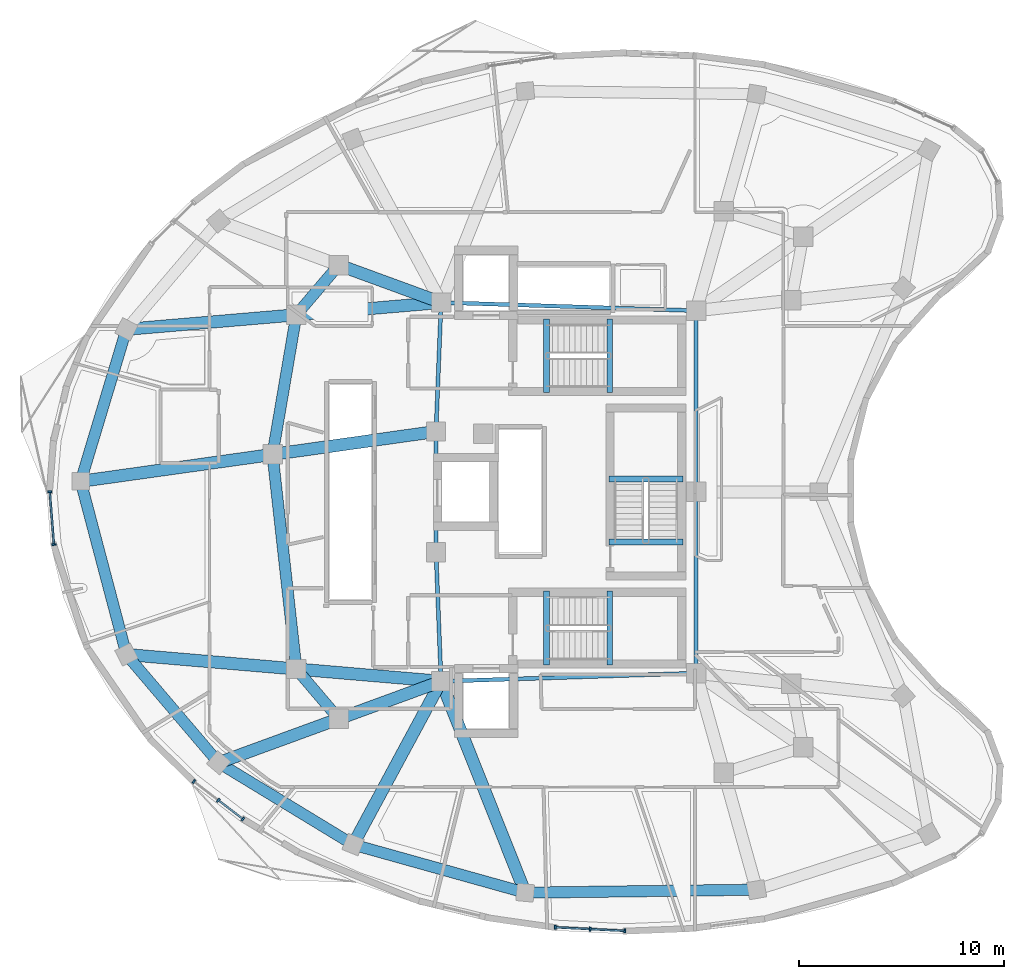
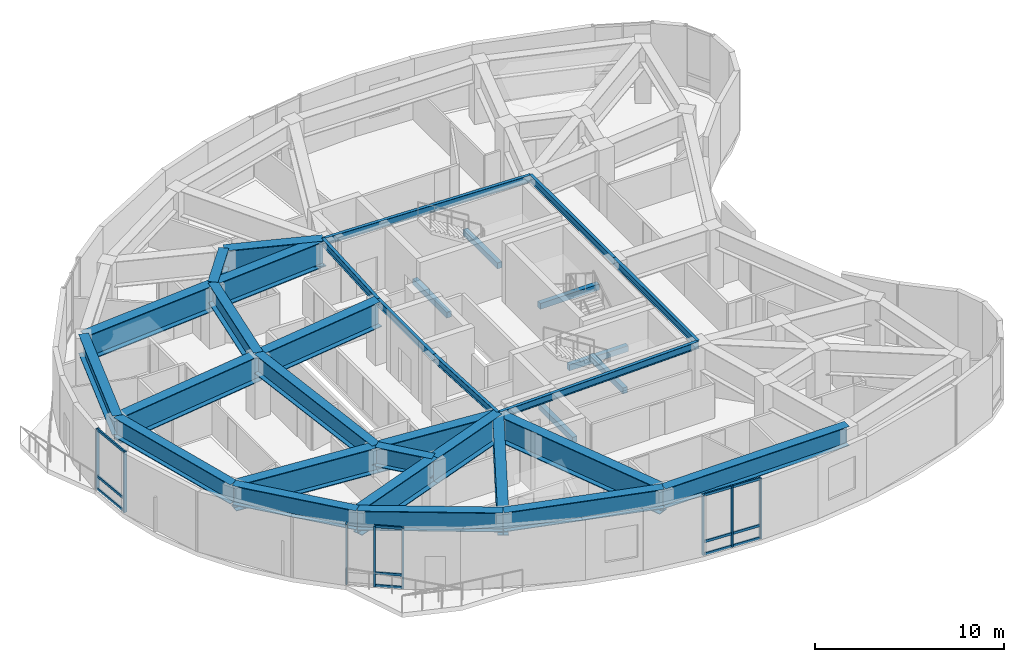
# One storey, part 2 of 13: 34 beams, 20 members, 3 elements without a shape of their own.
"""IFC4 building model written with IfcOpenShell, lengths in metres."""

from ifc_helpers import new_model, si_unit, direction, frame, origin, origin_2d, place, context, subcontext, project, spatial, rectangle, i_section, extrude, material, layer, layer_set, material_profile, profile_set, type_object, element, aggregate, save


model = new_model("IFC4")

# Units and contexts
model_context = context("Model", 3, precision=1e-05, world=origin(), true_north=direction((0.0, 1.0)))
body_context = subcontext(model_context, "Body", "Model", "MODEL_VIEW")
ifc_project = project(units=[si_unit("LENGTHUNIT", "METRE"), si_unit("AREAUNIT", "SQUARE_METRE"), si_unit("VOLUMEUNIT", "CUBIC_METRE"), si_unit("PLANEANGLEUNIT", "RADIAN"), si_unit("MASSUNIT", "GRAM", prefix="KILO")], contexts=[model_context])

# Site, building, storey
site_placement = place(None, origin())
site = spatial("IfcSite", under=ifc_project, at=site_placement, CompositionType="ELEMENT")
building_placement = place(site_placement, origin())
building = spatial("IfcBuilding", under=site, at=building_placement, Name="Korentha Bioscience Tower", CompositionType="ELEMENT")
storey_placement = place(building_placement, frame((0.0, 0.0, 256.199951171875)))
storey = spatial("IfcBuildingStorey", under=building, at=storey_placement, Name="L59", CompositionType="ELEMENT", Elevation=256.199951171875)

# Beams
ifc_material_1 = material(Name="Concrete C50", Category="concrete")
ifc_material_profile_1 = material_profile(ifc_material_1, rectangle(XDim=0.280029296875, YDim=0.3798828125, at=origin_2d()), Name="Concrete C50")
ifc_profile_set_1 = profile_set([ifc_material_profile_1], Name="Concrete C50 (ST-HB380)")
beam_type_1 = type_object("IfcBeamType", Name="Concrete Stair Header Beam RC 280x380", PredefinedType="BEAM", material=ifc_profile_set_1)
for number, where, z_axis, x_axis, name in (
    (1, (30.25, 31.85009765625, -0.18994140625), (0.0, 1.0, 0.0), (-1.0, 0.0, 0.0), "L59 ST-1 Concrete Stair Header Beam"),
    (2, (33.330078125, 31.85009765625, 1.91015625), (0.0, 1.0, 0.0), (-1.0, 0.0, 0.0), "L59 ST-1 Half-Landing Header Beam 1"),
    (3, (30.25, 18.550048828125, -0.18994140625), (0.0, 1.0, 0.0), (-1.0, 0.0, 0.0), "L59 ST-2 Concrete Stair Header Beam"),
    (4, (33.330078125, 18.550048828125, 1.91015625), (0.0, 1.0, 0.0), (-1.0, 0.0, 0.0), "L59 ST-2 Half-Landing Header Beam 1"),
    (5, (36.89990234375, 24.550048828125, -0.18994140625), (-1.0, 0.0, 0.0), (0.0, -1.0, 0.0), "L59 ST-3 Concrete Stair Header Beam"),
    (6, (36.89990234375, 27.6298828125, 1.91015625), (-1.0, 0.0, 0.0), (0.0, -1.0, 0.0), "L59 ST-3 Half-Landing Header Beam 1"),
):
    element("IfcBeam", number, at=place(storey_placement, frame(where, z_axis=z_axis, x_axis=x_axis)), inside=storey, type_object=beam_type_1, Name=name, PredefinedType="BEAM", context=body_context, shape_type="SweptSolid", body=[
        extrude(rectangle(XDim=0.280029296875, YDim=0.3798828125, at=origin_2d()), origin(), (0.0, 0.0, 1.0), 3.599853515625),
    ])
ifc_material_2 = material(Name="Steel S355", Category="steel")
ifc_material_profile_2 = material_profile(ifc_material_2, i_section(OverallWidth=0.550048828125, OverallDepth=1.25, WebThickness=0.02392578125, FlangeThickness=0.0400390625, at=origin_2d()), Name="Steel S355")
ifc_profile_set_2 = profile_set([ifc_material_profile_2], Name="Steel S355 (TG-03)")
beam_type_2 = type_object("IfcBeamType", Name="Crown Step Transfer Girder CVS 1250x510", PredefinedType="USERDEFINED", material=ifc_profile_set_2)
beam_1_placement = place(storey_placement, frame((20.102294921875, 38.07861328125, 3.275146484375), z_axis=(-0.648477940418, -0.761233446974, 0.0), x_axis=(0.761233446974, -0.648477940418, 0.0)))
element("IfcBeam", 7, at=beam_1_placement, inside=storey, type_object=beam_type_2, Name="L59 Mid-Ring Tie Girder 05", ObjectType="TRANSFER_GIRDER", PredefinedType="USERDEFINED", context=body_context, shape_type="SweptSolid", body=[
    extrude(i_section(OverallWidth=0.550048828125, OverallDepth=1.25, WebThickness=0.02392578125, FlangeThickness=0.0400390625, at=origin_2d()), origin(), (0.0, 0.0, 1.0), 3.193603515625),
])
beam_2_placement = place(storey_placement, frame((18.03125, 35.6474609375, 3.275146484375), z_axis=(-0.168147535946, -0.985761840484, 0.0), x_axis=(0.985761840484, -0.168147535946, 0.0)))
element("IfcBeam", 8, at=beam_2_placement, inside=storey, type_object=beam_type_2, Name="L59 Mid-Ring Tie Girder 06", ObjectType="TRANSFER_GIRDER", PredefinedType="USERDEFINED", context=body_context, shape_type="SweptSolid", body=[
    extrude(i_section(OverallWidth=0.550048828125, OverallDepth=1.25, WebThickness=0.02392578125, FlangeThickness=0.0400390625, at=origin_2d()), origin(), (0.0, 0.0, 1.0), 6.91552734375),
])
beam_3_placement = place(storey_placement, frame((16.868408203125, 28.830322265625, 3.275146484375), z_axis=(0.110304435267, -0.993897847649, 0.0), x_axis=(0.993897847649, 0.110304435267, 0.0)))
element("IfcBeam", 9, at=beam_3_placement, inside=storey, type_object=beam_type_2, Name="L59 Mid-Ring Tie Girder 07", ObjectType="TRANSFER_GIRDER", PredefinedType="USERDEFINED", context=body_context, shape_type="SweptSolid", body=[
    extrude(i_section(OverallWidth=0.550048828125, OverallDepth=1.25, WebThickness=0.02392578125, FlangeThickness=0.0400390625, at=origin_2d()), origin(), (0.0, 0.0, 1.0), 10.5419921875),
])
beam_4_placement = place(storey_placement, frame((18.03125, 18.3525390625, 3.275146484375), z_axis=(0.648477940418, -0.761233446974, 0.0), x_axis=(0.761233446974, 0.648477940418, 0.0)))
element("IfcBeam", 10, at=beam_4_placement, inside=storey, type_object=beam_type_2, Name="L59 Mid-Ring Tie Girder 08", ObjectType="TRANSFER_GIRDER", PredefinedType="USERDEFINED", context=body_context, shape_type="SweptSolid", body=[
    extrude(i_section(OverallWidth=0.550048828125, OverallDepth=1.25, WebThickness=0.02392578125, FlangeThickness=0.0400390625, at=origin_2d()), origin(), (0.0, 0.0, 1.0), 3.193603515625),
])
beam_5_placement = place(storey_placement, frame((9.7333984375, 34.93994140625, 3.275146484375), z_axis=(-0.288202931469, -0.957569355343, 0.0), x_axis=(0.957569355343, -0.288202931469, 0.0)))
element("IfcBeam", 11, at=beam_5_placement, inside=storey, type_object=beam_type_2, Name="L59 Perimeter Spandrel Girder 06", ObjectType="TRANSFER_GIRDER", PredefinedType="USERDEFINED", context=body_context, shape_type="SweptSolid", body=[
    extrude(i_section(OverallWidth=0.550048828125, OverallDepth=1.25, WebThickness=0.02392578125, FlangeThickness=0.0400390625, at=origin_2d()), origin(), (0.0, 0.0, 1.0), 7.752685546875),
])
beam_6_placement = place(storey_placement, frame((7.4990234375, 27.51611328125, 3.275146484375), z_axis=(0.255465954873, -0.966818052118, 0.0), x_axis=(0.966818052118, 0.255465954873, 0.0)))
element("IfcBeam", 12, at=beam_6_placement, inside=storey, type_object=beam_type_2, Name="L59 Perimeter Spandrel Girder 07", ObjectType="TRANSFER_GIRDER", PredefinedType="USERDEFINED", context=body_context, shape_type="SweptSolid", body=[
    extrude(i_section(OverallWidth=0.550048828125, OverallDepth=1.25, WebThickness=0.02392578125, FlangeThickness=0.0400390625, at=origin_2d()), origin(), (0.0, 0.0, 1.0), 8.746337890625),
])
beam_7_placement = place(storey_placement, frame((9.7333984375, 19.06005859375, 3.275146484375), z_axis=(0.648430983047, -0.76127344642, 0.0), x_axis=(0.76127344642, 0.648430983047, 0.0)))
element("IfcBeam", 13, at=beam_7_placement, inside=storey, type_object=beam_type_2, Name="L59 Perimeter Spandrel Girder 08", ObjectType="TRANSFER_GIRDER", PredefinedType="USERDEFINED", context=body_context, shape_type="SweptSolid", body=[
    extrude(i_section(OverallWidth=0.550048828125, OverallDepth=1.25, WebThickness=0.02392578125, FlangeThickness=0.0400390625, at=origin_2d()), origin(), (0.0, 0.0, 1.0), 6.94287109375),
])
beam_8_placement = place(storey_placement, frame((14.2353515625, 13.774658203125, 3.275146484375), z_axis=(0.854346933574, -0.519703104755, 0.0), x_axis=(0.519703104755, 0.854346933574, 0.0)))
element("IfcBeam", 14, at=beam_8_placement, inside=storey, type_object=beam_type_2, Name="L59 Perimeter Spandrel Girder 09", ObjectType="TRANSFER_GIRDER", PredefinedType="USERDEFINED", context=body_context, shape_type="SweptSolid", body=[
    extrude(i_section(OverallWidth=0.550048828125, OverallDepth=1.25, WebThickness=0.02392578125, FlangeThickness=0.0400390625, at=origin_2d()), origin(), (0.0, 0.0, 1.0), 7.687255859375),
])
beam_9_placement = place(storey_placement, frame((20.802978515625, 9.779541015625, 3.275146484375), z_axis=(0.963069388381, -0.269253325258, 0.0), x_axis=(0.269253325258, 0.963069388381, 0.0)))
element("IfcBeam", 15, at=beam_9_placement, inside=storey, type_object=beam_type_2, Name="L59 Perimeter Spandrel Girder 10", ObjectType="TRANSFER_GIRDER", PredefinedType="USERDEFINED", context=body_context, shape_type="SweptSolid", body=[
    extrude(i_section(OverallWidth=0.550048828125, OverallDepth=1.25, WebThickness=0.02392578125, FlangeThickness=0.0400390625, at=origin_2d()), origin(), (0.0, 0.0, 1.0), 8.72900390625),
])
beam_10_placement = place(storey_placement, frame((29.209716796875, 7.42919921875, 3.275146484375), z_axis=(0.999915413236, 0.013006397415, 0.0), x_axis=(-0.013006397415, 0.999915413236, 0.0)))
element("IfcBeam", 16, at=beam_10_placement, inside=storey, type_object=beam_type_2, Name="L59 Perimeter Spandrel Girder 11", ObjectType="TRANSFER_GIRDER", PredefinedType="USERDEFINED", context=body_context, shape_type="SweptSolid", body=[
    extrude(i_section(OverallWidth=0.550048828125, OverallDepth=1.25, WebThickness=0.02392578125, FlangeThickness=0.0400390625, at=origin_2d()), origin(), (0.0, 0.0, 1.0), 11.300048828125),
])
ifc_material_profile_3 = material_profile(ifc_material_2, i_section(OverallWidth=0.60009765625, OverallDepth=1.64990234375, WebThickness=0.02587890625, FlangeThickness=0.0439453125, at=origin_2d()), Name="Steel S355")
ifc_profile_set_3 = profile_set([ifc_material_profile_3], Name="Steel S355 (TG-04)")
beam_type_3 = type_object("IfcBeamType", Name="Deep Setback Transfer Girder CVS 1650x620", PredefinedType="USERDEFINED", material=ifc_profile_set_3)
beam_11_placement = place(storey_placement, frame((25.10009765625, 36.25, 3.074951171875), z_axis=(-0.939113825958, 0.34360620177, 0.0), x_axis=(-0.34360620177, -0.939113825958, 0.0)))
element("IfcBeam", 17, at=beam_11_placement, inside=storey, type_object=beam_type_3, Name="L59 Inner Radial Transfer Girder 05", ObjectType="TRANSFER_GIRDER", PredefinedType="USERDEFINED", context=body_context, shape_type="SweptSolid", body=[
    extrude(i_section(OverallWidth=0.60009765625, OverallDepth=1.64990234375, WebThickness=0.02587890625, FlangeThickness=0.0439453125, at=origin_2d()), origin(), (0.0, 0.0, 1.0), 5.32177734375),
])
beam_12_placement = place(storey_placement, frame((25.10009765625, 36.25, 3.074951171875), z_axis=(-0.996386862802, -0.084930675464, 0.0), x_axis=(0.084930675464, -0.996386862802, 0.0)))
element("IfcBeam", 18, at=beam_12_placement, inside=storey, type_object=beam_type_3, Name="L59 Inner Radial Transfer Girder 06", ObjectType="TRANSFER_GIRDER", PredefinedType="USERDEFINED", context=body_context, shape_type="SweptSolid", body=[
    extrude(i_section(OverallWidth=0.60009765625, OverallDepth=1.64990234375, WebThickness=0.02587890625, FlangeThickness=0.0439453125, at=origin_2d()), origin(), (0.0, 0.0, 1.0), 7.094482421875),
])
beam_13_placement = place(storey_placement, frame((18.03125, 35.6474609375, 3.074951171875), z_axis=(-0.996384608351, -0.084957120013, 0.0), x_axis=(0.084957120013, -0.996384608351, 0.0)))
element("IfcBeam", 19, at=beam_13_placement, inside=storey, type_object=beam_type_3, Name="L59 Outer Radial Transfer Girder 06", ObjectType="TRANSFER_GIRDER", PredefinedType="USERDEFINED", context=body_context, shape_type="SweptSolid", body=[
    extrude(i_section(OverallWidth=0.60009765625, OverallDepth=1.64990234375, WebThickness=0.02587890625, FlangeThickness=0.0439453125, at=origin_2d()), origin(), (0.0, 0.0, 1.0), 8.327880859375),
])
beam_14_placement = place(storey_placement, frame((24.85009765625, 29.949951171875, 3.074951171875), z_axis=(-0.990304360925, -0.138914623901, 0.0), x_axis=(0.138914623901, -0.990304360925, 0.0)))
element("IfcBeam", 20, at=beam_14_placement, inside=storey, type_object=beam_type_3, Name="L59 Inner Radial Transfer Girder 07", ObjectType="TRANSFER_GIRDER", PredefinedType="USERDEFINED", context=body_context, shape_type="SweptSolid", body=[
    extrude(i_section(OverallWidth=0.60009765625, OverallDepth=1.64990234375, WebThickness=0.02587890625, FlangeThickness=0.0439453125, at=origin_2d()), origin(), (0.0, 0.0, 1.0), 8.059814453125),
])
beam_15_placement = place(storey_placement, frame((16.868408203125, 28.830322265625, 3.074951171875), z_axis=(-0.990305501334, -0.138906493829, 0.0), x_axis=(0.138906493829, -0.990305501334, 0.0)))
element("IfcBeam", 21, at=beam_15_placement, inside=storey, type_object=beam_type_3, Name="L59 Outer Radial Transfer Girder 07", ObjectType="TRANSFER_GIRDER", PredefinedType="USERDEFINED", context=body_context, shape_type="SweptSolid", body=[
    extrude(i_section(OverallWidth=0.60009765625, OverallDepth=1.64990234375, WebThickness=0.02587890625, FlangeThickness=0.0439453125, at=origin_2d()), origin(), (0.0, 0.0, 1.0), 9.461181640625),
])
beam_16_placement = place(storey_placement, frame((25.10009765625, 17.75, 3.074951171875), z_axis=(-0.996386862802, 0.084930675464, 0.0), x_axis=(-0.084930675464, -0.996386862802, 0.0)))
element("IfcBeam", 22, at=beam_16_placement, inside=storey, type_object=beam_type_3, Name="L59 Inner Radial Transfer Girder 08", ObjectType="TRANSFER_GIRDER", PredefinedType="USERDEFINED", context=body_context, shape_type="SweptSolid", body=[
    extrude(i_section(OverallWidth=0.60009765625, OverallDepth=1.64990234375, WebThickness=0.02587890625, FlangeThickness=0.0439453125, at=origin_2d()), origin(), (0.0, 0.0, 1.0), 7.094482421875),
])
beam_17_placement = place(storey_placement, frame((18.03125, 18.3525390625, 3.074951171875), z_axis=(-0.996384608351, 0.084957120013, 0.0), x_axis=(-0.084957120013, -0.996384608351, 0.0)))
element("IfcBeam", 23, at=beam_17_placement, inside=storey, type_object=beam_type_3, Name="L59 Outer Radial Transfer Girder 08", ObjectType="TRANSFER_GIRDER", PredefinedType="USERDEFINED", context=body_context, shape_type="SweptSolid", body=[
    extrude(i_section(OverallWidth=0.60009765625, OverallDepth=1.64990234375, WebThickness=0.02587890625, FlangeThickness=0.0439453125, at=origin_2d()), origin(), (0.0, 0.0, 1.0), 8.327880859375),
])
beam_18_placement = place(storey_placement, frame((25.10009765625, 17.75, 3.074951171875), z_axis=(-0.939113825958, -0.34360620177, 0.0), x_axis=(0.34360620177, -0.939113825958, 0.0)))
element("IfcBeam", 24, at=beam_18_placement, inside=storey, type_object=beam_type_3, Name="L59 Inner Radial Transfer Girder 09", ObjectType="TRANSFER_GIRDER", PredefinedType="USERDEFINED", context=body_context, shape_type="SweptSolid", body=[
    extrude(i_section(OverallWidth=0.60009765625, OverallDepth=1.64990234375, WebThickness=0.02587890625, FlangeThickness=0.0439453125, at=origin_2d()), origin(), (0.0, 0.0, 1.0), 5.32177734375),
])
beam_19_placement = place(storey_placement, frame((20.102294921875, 15.92138671875, 3.074951171875), z_axis=(-0.939108088977, -0.343621881169, 0.0), x_axis=(0.343621881169, -0.939108088977, 0.0)))
element("IfcBeam", 25, at=beam_19_placement, inside=storey, type_object=beam_type_3, Name="L59 Outer Radial Transfer Girder 09", ObjectType="TRANSFER_GIRDER", PredefinedType="USERDEFINED", context=body_context, shape_type="SweptSolid", body=[
    extrude(i_section(OverallWidth=0.60009765625, OverallDepth=1.64990234375, WebThickness=0.02587890625, FlangeThickness=0.0439453125, at=origin_2d()), origin(), (0.0, 0.0, 1.0), 6.247314453125),
])
beam_20_placement = place(storey_placement, frame((25.10009765625, 17.75, 3.074951171875), z_axis=(-0.47455638006, -0.88022510879, 0.0), x_axis=(0.88022510879, -0.47455638006, 0.0)))
element("IfcBeam", 26, at=beam_20_placement, inside=storey, type_object=beam_type_3, Name="L59 Radial Transfer Girder 10", ObjectType="TRANSFER_GIRDER", PredefinedType="USERDEFINED", context=body_context, shape_type="SweptSolid", body=[
    extrude(i_section(OverallWidth=0.60009765625, OverallDepth=1.64990234375, WebThickness=0.02587890625, FlangeThickness=0.0439453125, at=origin_2d()), origin(), (0.0, 0.0, 1.0), 9.054931640625),
])
beam_21_placement = place(storey_placement, frame((25.10009765625, 17.75, 3.074951171875), z_axis=(0.369938982304, -0.929056052869, 0.0), x_axis=(0.929056052869, 0.369938982304, 0.0)))
element("IfcBeam", 27, at=beam_21_placement, inside=storey, type_object=beam_type_3, Name="L59 Radial Transfer Girder 11", ObjectType="TRANSFER_GIRDER", PredefinedType="USERDEFINED", context=body_context, shape_type="SweptSolid", body=[
    extrude(i_section(OverallWidth=0.60009765625, OverallDepth=1.64990234375, WebThickness=0.02587890625, FlangeThickness=0.0439453125, at=origin_2d()), origin(), (0.0, 0.0, 1.0), 11.10888671875),
])
ifc_material_profile_4 = material_profile(ifc_material_2, i_section(OverallWidth=0.18994140625, OverallDepth=0.45703125, WebThickness=0.009033203125, FlangeThickness=0.014404296875, at=origin_2d()), Name="Steel S355")
ifc_profile_set_4 = profile_set([ifc_material_profile_4], Name="Steel S355 (MB-460)")
beam_type_4 = type_object("IfcBeamType", Name="Mid-Ring Tie Girder W460x74", PredefinedType="BEAM", material=ifc_profile_set_4)
beam_22_placement = place(storey_placement, frame((37.550048828125, 35.85009765625, 3.671630859375), z_axis=(-0.999484526071, 0.032104238723, 0.0), x_axis=(-0.032104238723, -0.999484526071, 0.0)))
element("IfcBeam", 28, at=beam_22_placement, inside=storey, type_object=beam_type_4, Name="L59 Core Ring Tie Girder 01", PredefinedType="BEAM", context=body_context, shape_type="SweptSolid", body=[
    extrude(i_section(OverallWidth=0.18994140625, OverallDepth=0.45703125, WebThickness=0.009033203125, FlangeThickness=0.014404296875, at=origin_2d()), origin(), (0.0, 0.0, 1.0), 12.456298828125),
])
beam_23_placement = place(storey_placement, frame((25.10009765625, 36.25, 3.671630859375), z_axis=(-0.039651025576, -0.999213588864, 0.0), x_axis=(0.999213588864, -0.039651025576, 0.0)))
element("IfcBeam", 29, at=beam_23_placement, inside=storey, type_object=beam_type_4, Name="L59 Core Ring Tie Girder 02", PredefinedType="BEAM", context=body_context, shape_type="SweptSolid", body=[
    extrude(i_section(OverallWidth=0.18994140625, OverallDepth=0.45703125, WebThickness=0.009033203125, FlangeThickness=0.014404296875, at=origin_2d()), origin(), (0.0, 0.0, 1.0), 6.304931640625),
])
beam_24_placement = place(storey_placement, frame((24.85009765625, 29.949951171875, 3.671630859375), z_axis=(0.0, -1.0, 0.0), x_axis=(1.0, 0.0, 0.0)))
element("IfcBeam", 30, at=beam_24_placement, inside=storey, type_object=beam_type_4, Name="L59 Core Ring Tie Girder 03", PredefinedType="BEAM", context=body_context, shape_type="SweptSolid", body=[
    extrude(i_section(OverallWidth=0.18994140625, OverallDepth=0.45703125, WebThickness=0.009033203125, FlangeThickness=0.014404296875, at=origin_2d()), origin(), (0.0, 0.0, 1.0), 5.89990234375),
])
beam_25_placement = place(storey_placement, frame((24.85009765625, 24.050048828125, 3.671630859375), z_axis=(0.039651025576, -0.999213588864, 0.0), x_axis=(0.999213588864, 0.039651025576, 0.0)))
element("IfcBeam", 31, at=beam_25_placement, inside=storey, type_object=beam_type_4, Name="L59 Core Ring Tie Girder 04", PredefinedType="BEAM", context=body_context, shape_type="SweptSolid", body=[
    extrude(i_section(OverallWidth=0.18994140625, OverallDepth=0.45703125, WebThickness=0.009033203125, FlangeThickness=0.014404296875, at=origin_2d()), origin(), (0.0, 0.0, 1.0), 6.304931640625),
])
beam_26_placement = place(storey_placement, frame((25.10009765625, 17.75, 3.671630859375), z_axis=(0.999484526071, 0.032104238723, 0.0), x_axis=(-0.032104238723, 0.999484526071, 0.0)))
element("IfcBeam", 32, at=beam_26_placement, inside=storey, type_object=beam_type_4, Name="L59 Core Ring Tie Girder 05", PredefinedType="BEAM", context=body_context, shape_type="SweptSolid", body=[
    extrude(i_section(OverallWidth=0.18994140625, OverallDepth=0.45703125, WebThickness=0.009033203125, FlangeThickness=0.014404296875, at=origin_2d()), origin(), (0.0, 0.0, 1.0), 12.456298828125),
])
for number, where, z_axis, x_axis, name in (
    (33, (37.550048828125, 18.14990234375, 3.671630859375), (0.0, 1.0, 0.0), (-1.0, 0.0, 0.0), "L59 Core Ring Tie Girder 06"),
    (34, (37.550048828125, 27.0, 3.671630859375), (0.0, 1.0, 0.0), (-1.0, 0.0, 0.0), "L59 Core Ring Tie Girder 07"),
):
    element("IfcBeam", number, at=place(storey_placement, frame(where, z_axis=z_axis, x_axis=x_axis)), inside=storey, type_object=beam_type_4, Name=name, PredefinedType="BEAM", context=body_context, shape_type="SweptSolid", body=[
        extrude(i_section(OverallWidth=0.18994140625, OverallDepth=0.45703125, WebThickness=0.009033203125, FlangeThickness=0.014404296875, at=origin_2d()), origin(), (0.0, 0.0, 1.0), 8.85009765625),
    ])

# Curtain wall, members
ifc_material_3 = material(Name="Thermally Broken Aluminium Frame", Category="aluminium")
ifc_layer = layer(ifc_material_3, 0.219970703125, Name="Thermally Broken Aluminium Frame")
ifc_layer_set = layer_set([ifc_layer], Name="Thermally Broken Aluminium Frame (CW-T1)")
curtain_wall_type = type_object("IfcCurtainWallType", Name="Standard Bioscience Lab Unitised Curtain Wall CW-T1", PredefinedType="USERDEFINED", material=ifc_layer_set)
curtain_wall_1_placement = place(storey_placement, origin())
curtain_wall_1 = element("IfcCurtainWall", 35, at=curtain_wall_1_placement, inside=storey, type_object=curtain_wall_type, Name="L59 Curtain Wall 19", ObjectType="UNITISED", PredefinedType="USERDEFINED")
ifc_material_4 = material(Name="Anodised Aluminium 6063-T6", Category="aluminium")
ifc_material_profile_5 = material_profile(ifc_material_4, rectangle(XDim=0.090087890625, YDim=0.199951171875, at=origin_2d()), Name="Anodised Aluminium 6063-T6")
ifc_profile_set_5 = profile_set([ifc_material_profile_5], Name="Anodised Aluminium 6063-T6 (CW-MUL)")
member_type_1 = type_object("IfcMemberType", Name="Mullion RECT 90x200", PredefinedType="MULLION", material=ifc_profile_set_5)
member_1_placement = place(storey_placement, frame((5.992919921875, 27.0078125, 0.0), z_axis=(0.0, 0.0, 1.0), x_axis=(0.079117478884, -0.996865299093, 0.0)))
member_1 = element("IfcMember", 36, at=member_1_placement, type_object=member_type_1, Name="CW-L59-19 Mullion 1", PredefinedType="MULLION", context=body_context, shape_type="SweptSolid", body=[
    extrude(rectangle(XDim=0.090087890625, YDim=0.199951171875, at=origin_2d()), origin(), (0.0, 0.0, 1.0), 3.900146484375),
])
member_2_placement = place(storey_placement, frame((6.197509765625, 24.427490234375, 0.0), z_axis=(0.0, 0.0, 1.0), x_axis=(0.079117478884, -0.996865299093, 0.0)))
member_2 = element("IfcMember", 37, at=member_2_placement, type_object=member_type_1, Name="CW-L59-19 Mullion 2", PredefinedType="MULLION", context=body_context, shape_type="SweptSolid", body=[
    extrude(rectangle(XDim=0.090087890625, YDim=0.199951171875, at=origin_2d()), origin(), (0.0, 0.0, 1.0), 3.900146484375),
])

curtain_wall_2_placement = place(storey_placement, origin())
curtain_wall_2 = element("IfcCurtainWall", 38, at=curtain_wall_2_placement, inside=storey, type_object=curtain_wall_type, Name="L59 Curtain Wall 25", ObjectType="UNITISED", PredefinedType="USERDEFINED")
member_3_placement = place(storey_placement, frame((13.0244140625, 12.862548828125, 0.0), z_axis=(0.0, 0.0, 1.0), x_axis=(0.794382455982, -0.607417906904, 0.0)))
member_3 = element("IfcMember", 39, at=member_3_placement, type_object=member_type_1, Name="CW-L59-25 Mullion 1", PredefinedType="MULLION", context=body_context, shape_type="SweptSolid", body=[
    extrude(rectangle(XDim=0.090087890625, YDim=0.199951171875, at=origin_2d()), origin(), (0.0, 0.0, 1.0), 3.900146484375),
])
member_4_placement = place(storey_placement, frame((14.224853515625, 11.944580078125, 0.0), z_axis=(0.0, 0.0, 1.0), x_axis=(0.794382455982, -0.607417906904, 0.0)))
member_4 = element("IfcMember", 40, at=member_4_placement, type_object=member_type_1, Name="CW-L59-25 Mullion 2", PredefinedType="MULLION", context=body_context, shape_type="SweptSolid", body=[
    extrude(rectangle(XDim=0.090087890625, YDim=0.199951171875, at=origin_2d()), origin(), (0.0, 0.0, 1.0), 3.900146484375),
])
member_5_placement = place(storey_placement, frame((15.42529296875, 11.026611328125, 0.0), z_axis=(0.0, 0.0, 1.0), x_axis=(0.794382455982, -0.607417906904, 0.0)))
member_5 = element("IfcMember", 41, at=member_5_placement, type_object=member_type_1, Name="CW-L59-25 Mullion 3", PredefinedType="MULLION", context=body_context, shape_type="SweptSolid", body=[
    extrude(rectangle(XDim=0.090087890625, YDim=0.199951171875, at=origin_2d()), origin(), (0.0, 0.0, 1.0), 3.900146484375),
])

curtain_wall_3_placement = place(storey_placement, origin())
curtain_wall_3 = element("IfcCurtainWall", 42, at=curtain_wall_3_placement, inside=storey, type_object=curtain_wall_type, Name="L59 Curtain Wall 31", ObjectType="UNITISED", PredefinedType="USERDEFINED")
member_6_placement = place(storey_placement, frame((30.67431640625, 5.7421875, 0.0), z_axis=(0.0, 0.0, 1.0), x_axis=(0.998671032258, -0.051538037689, 0.0)))
member_6 = element("IfcMember", 43, at=member_6_placement, type_object=member_type_1, Name="CW-L59-31 Mullion 1", PredefinedType="MULLION", context=body_context, shape_type="SweptSolid", body=[
    extrude(rectangle(XDim=0.090087890625, YDim=0.199951171875, at=origin_2d()), origin(), (0.0, 0.0, 1.0), 3.900146484375),
])
member_7_placement = place(storey_placement, frame((32.37548828125, 5.654296875, 0.0), z_axis=(0.0, 0.0, 1.0), x_axis=(0.998671032258, -0.051538037689, 0.0)))
member_7 = element("IfcMember", 44, at=member_7_placement, type_object=member_type_1, Name="CW-L59-31 Mullion 2", PredefinedType="MULLION", context=body_context, shape_type="SweptSolid", body=[
    extrude(rectangle(XDim=0.090087890625, YDim=0.199951171875, at=origin_2d()), origin(), (0.0, 0.0, 1.0), 3.900146484375),
])
member_8_placement = place(storey_placement, frame((34.076416015625, 5.566650390625, 0.0), z_axis=(0.0, 0.0, 1.0), x_axis=(0.998671032258, -0.051538037689, 0.0)))
member_8 = element("IfcMember", 45, at=member_8_placement, type_object=member_type_1, Name="CW-L59-31 Mullion 3", PredefinedType="MULLION", context=body_context, shape_type="SweptSolid", body=[
    extrude(rectangle(XDim=0.090087890625, YDim=0.199951171875, at=origin_2d()), origin(), (0.0, 0.0, 1.0), 3.900146484375),
])

# Member
ifc_material_profile_6 = material_profile(ifc_material_4, rectangle(XDim=0.090087890625, YDim=0.159912109375, at=origin_2d()), Name="Anodised Aluminium 6063-T6")
ifc_profile_set_6 = profile_set([ifc_material_profile_6], Name="Anodised Aluminium 6063-T6 (CW-TRN)")
member_type_2 = type_object("IfcMemberType", Name="Transom RECT 90x160", PredefinedType="USERDEFINED", material=ifc_profile_set_6)
member_9_placement = place(storey_placement, frame((5.996337890625, 26.962890625, 0.045166015625), z_axis=(0.079154836788, -0.996862333431, 0.0), x_axis=(0.996862333431, 0.079154836788, 0.0)))
member_9 = element("IfcMember", 46, at=member_9_placement, type_object=member_type_2, Name="CW-L59-19 Bay 1 Transom 1", ObjectType="TRANSOM", PredefinedType="USERDEFINED", context=body_context, shape_type="SweptSolid", body=[
    extrude(rectangle(XDim=0.090087890625, YDim=0.159912109375, at=origin_2d()), origin(), (0.0, 0.0, 1.0), 2.498291015625),
])

member_10_placement = place(storey_placement, frame((5.996337890625, 26.962890625, 0.85009765625), z_axis=(0.079154836788, -0.996862333431, 0.0), x_axis=(0.996862333431, 0.079154836788, 0.0)))
member_10 = element("IfcMember", 47, at=member_10_placement, type_object=member_type_2, Name="CW-L59-19 Bay 1 Transom 2", ObjectType="TRANSOM", PredefinedType="USERDEFINED", context=body_context, shape_type="SweptSolid", body=[
    extrude(rectangle(XDim=0.090087890625, YDim=0.159912109375, at=origin_2d()), origin(), (0.0, 0.0, 1.0), 2.498291015625),
])

member_11_placement = place(storey_placement, frame((5.996337890625, 26.962890625, 3.85498046875), z_axis=(0.079154836788, -0.996862333431, 0.0), x_axis=(0.996862333431, 0.079154836788, 0.0)))
member_11 = element("IfcMember", 48, at=member_11_placement, type_object=member_type_2, Name="CW-L59-19 Bay 1 Transom 3", ObjectType="TRANSOM", PredefinedType="USERDEFINED", context=body_context, shape_type="SweptSolid", body=[
    extrude(rectangle(XDim=0.090087890625, YDim=0.159912109375, at=origin_2d()), origin(), (0.0, 0.0, 1.0), 2.498291015625),
])

aggregate(curtain_wall_1, [member_1, member_2, member_9, member_10, member_11])

member_12_placement = place(storey_placement, frame((14.260498046875, 11.917236328125, 0.045166015625), z_axis=(0.794440728622, -0.607341690242, 0.0), x_axis=(0.607341690242, 0.794440728622, 0.0)))
member_12 = element("IfcMember", 49, at=member_12_placement, type_object=member_type_2, Name="CW-L59-25 Bay 2 Transom 1", ObjectType="TRANSOM", PredefinedType="USERDEFINED", context=body_context, shape_type="SweptSolid", body=[
    extrude(rectangle(XDim=0.090087890625, YDim=0.159912109375, at=origin_2d()), origin(), (0.0, 0.0, 1.0), 1.4208984375),
])

member_13_placement = place(storey_placement, frame((14.260498046875, 11.917236328125, 0.85009765625), z_axis=(0.794440728622, -0.607341690242, 0.0), x_axis=(0.607341690242, 0.794440728622, 0.0)))
member_13 = element("IfcMember", 50, at=member_13_placement, type_object=member_type_2, Name="CW-L59-25 Bay 2 Transom 2", ObjectType="TRANSOM", PredefinedType="USERDEFINED", context=body_context, shape_type="SweptSolid", body=[
    extrude(rectangle(XDim=0.090087890625, YDim=0.159912109375, at=origin_2d()), origin(), (0.0, 0.0, 1.0), 1.4208984375),
])

member_14_placement = place(storey_placement, frame((14.260498046875, 11.917236328125, 3.85498046875), z_axis=(0.794440728622, -0.607341690242, 0.0), x_axis=(0.607341690242, 0.794440728622, 0.0)))
member_14 = element("IfcMember", 51, at=member_14_placement, type_object=member_type_2, Name="CW-L59-25 Bay 2 Transom 3", ObjectType="TRANSOM", PredefinedType="USERDEFINED", context=body_context, shape_type="SweptSolid", body=[
    extrude(rectangle(XDim=0.090087890625, YDim=0.159912109375, at=origin_2d()), origin(), (0.0, 0.0, 1.0), 1.4208984375),
])

aggregate(curtain_wall_2, [member_3, member_4, member_5, member_12, member_13, member_14])

member_15_placement = place(storey_placement, frame((30.719482421875, 5.739990234375, 0.045166015625), z_axis=(0.998667541134, -0.051605641995, 0.0), x_axis=(0.051605641995, 0.998667541134, 0.0)))
member_15 = element("IfcMember", 52, at=member_15_placement, type_object=member_type_2, Name="CW-L59-31 Bay 1 Transom 1", ObjectType="TRANSOM", PredefinedType="USERDEFINED", context=body_context, shape_type="SweptSolid", body=[
    extrude(rectangle(XDim=0.090087890625, YDim=0.159912109375, at=origin_2d()), origin(), (0.0, 0.0, 1.0), 1.61328125),
])

member_16_placement = place(storey_placement, frame((30.719482421875, 5.739990234375, 0.85009765625), z_axis=(0.998667541134, -0.051605641995, 0.0), x_axis=(0.051605641995, 0.998667541134, 0.0)))
member_16 = element("IfcMember", 53, at=member_16_placement, type_object=member_type_2, Name="CW-L59-31 Bay 1 Transom 2", ObjectType="TRANSOM", PredefinedType="USERDEFINED", context=body_context, shape_type="SweptSolid", body=[
    extrude(rectangle(XDim=0.090087890625, YDim=0.159912109375, at=origin_2d()), origin(), (0.0, 0.0, 1.0), 1.61328125),
])

member_17_placement = place(storey_placement, frame((30.719482421875, 5.739990234375, 3.85498046875), z_axis=(0.998667541134, -0.051605641995, 0.0), x_axis=(0.051605641995, 0.998667541134, 0.0)))
member_17 = element("IfcMember", 54, at=member_17_placement, type_object=member_type_2, Name="CW-L59-31 Bay 1 Transom 3", ObjectType="TRANSOM", PredefinedType="USERDEFINED", context=body_context, shape_type="SweptSolid", body=[
    extrude(rectangle(XDim=0.090087890625, YDim=0.159912109375, at=origin_2d()), origin(), (0.0, 0.0, 1.0), 1.61328125),
])

member_18_placement = place(storey_placement, frame((32.42041015625, 5.652099609375, 0.045166015625), z_axis=(0.998667541134, -0.051605641995, 0.0), x_axis=(0.051605641995, 0.998667541134, 0.0)))
member_18 = element("IfcMember", 55, at=member_18_placement, type_object=member_type_2, Name="CW-L59-31 Bay 2 Transom 1", ObjectType="TRANSOM", PredefinedType="USERDEFINED", context=body_context, shape_type="SweptSolid", body=[
    extrude(rectangle(XDim=0.090087890625, YDim=0.159912109375, at=origin_2d()), origin(), (0.0, 0.0, 1.0), 1.61328125),
])

member_19_placement = place(storey_placement, frame((32.42041015625, 5.652099609375, 0.85009765625), z_axis=(0.998667541134, -0.051605641995, 0.0), x_axis=(0.051605641995, 0.998667541134, 0.0)))
member_19 = element("IfcMember", 56, at=member_19_placement, type_object=member_type_2, Name="CW-L59-31 Bay 2 Transom 2", ObjectType="TRANSOM", PredefinedType="USERDEFINED", context=body_context, shape_type="SweptSolid", body=[
    extrude(rectangle(XDim=0.090087890625, YDim=0.159912109375, at=origin_2d()), origin(), (0.0, 0.0, 1.0), 1.61328125),
])

member_20_placement = place(storey_placement, frame((32.42041015625, 5.652099609375, 3.85498046875), z_axis=(0.998667541134, -0.051605641995, 0.0), x_axis=(0.051605641995, 0.998667541134, 0.0)))
member_20 = element("IfcMember", 57, at=member_20_placement, type_object=member_type_2, Name="CW-L59-31 Bay 2 Transom 3", ObjectType="TRANSOM", PredefinedType="USERDEFINED", context=body_context, shape_type="SweptSolid", body=[
    extrude(rectangle(XDim=0.090087890625, YDim=0.159912109375, at=origin_2d()), origin(), (0.0, 0.0, 1.0), 1.61328125),
])

aggregate(curtain_wall_3, [member_6, member_7, member_8, member_15, member_16, member_17, member_18, member_19, member_20])

save(model, "model.ifc")
